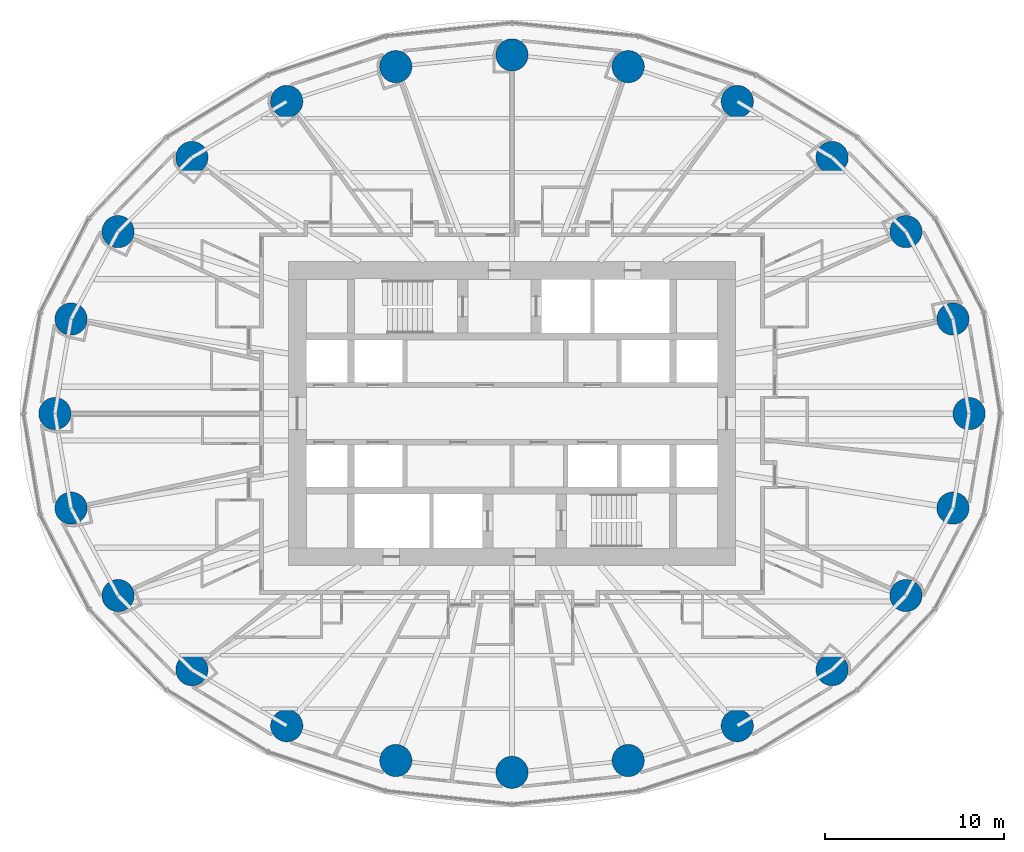
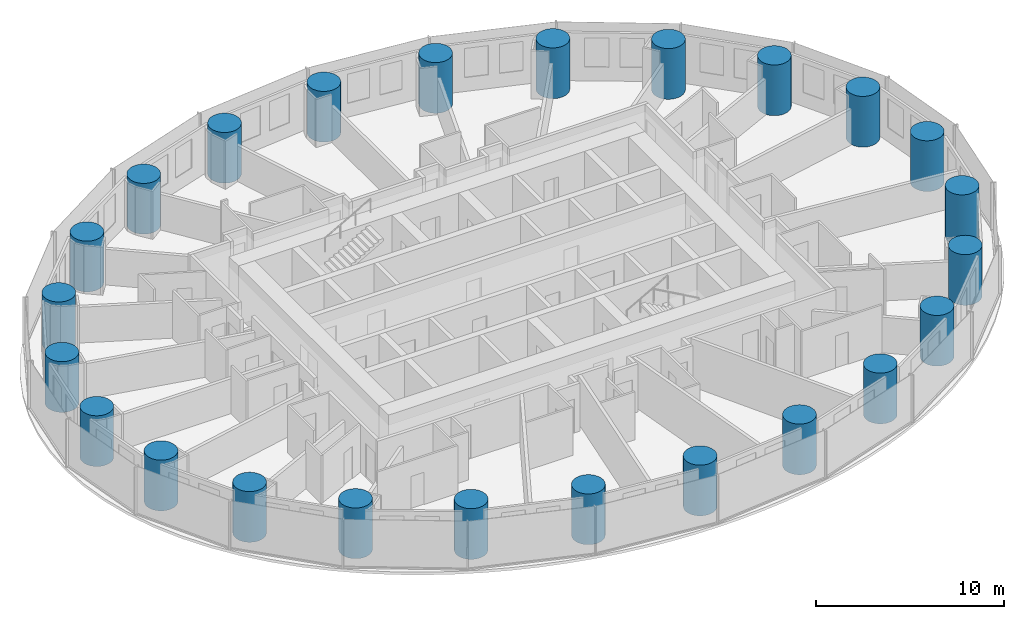
# One storey, part 1 of 14: 24 columns.
"""IFC4 building model written with IfcOpenShell, lengths in metres."""

import ifcopenshell
import ifcopenshell.guid

model = None  # the IFC model being written
_history = None  # IfcOwnerHistory: only IFC2X3 demands one
_inside = {}  # id of a spatial element -> (the spatial element, [elements in it])
_under = {}  # id of a project, library or spatial element -> (it, [spatial elements below it])
_declared = {}  # id of a project -> (the project, [libraries it declares])
_typed = {}  # id of a type object -> (the type object, [elements of that type])
_made_of = {}  # id of a material, layer set ... -> (it, [elements and type objects made of it])


def new_model(schema):
    """Start an empty IFC model of exactly this schema.

    Asked for "IFC4X3", IfcOpenShell would pick the latest addendum, in which some entities
    have other attributes; the version numbers below select the first issue.
    IFC2X3 requires an IfcOwnerHistory on every rooted entity: one is made here for all.
    """
    global model, _history
    if schema == "IFC4X3":
        model = ifcopenshell.file(schema_version=(4, 3, 0, 0))
    else:
        model = ifcopenshell.file(schema=schema)
    _inside.clear()
    _under.clear()
    _declared.clear()
    _typed.clear()
    _made_of.clear()
    _history = None
    if model.schema == "IFC2X3":
        org = make("IfcOrganization", Name="unknown")
        user = make(
            "IfcPersonAndOrganization",
            ThePerson=make("IfcPerson", FamilyName="unknown"),
            TheOrganization=org,
        )
        app = make(
            "IfcApplication",
            ApplicationDeveloper=org,
            Version="unknown",
            ApplicationFullName="unknown",
            ApplicationIdentifier="unknown",
        )
        _history = make(
            "IfcOwnerHistory",
            OwningUser=user,
            OwningApplication=app,
            ChangeAction="ADDED",
            CreationDate=0,
        )
    return model


def make(cls, **values):
    """One entity of the class cls with the attributes given. An attribute that is None is left unset."""
    return model.create_entity(
        cls, **{name: value for name, value in values.items() if value is not None}
    )


def rooted(cls, **values):
    """An entity with a GlobalId (a new one), such as an element, a storey or a relation."""
    return make(cls, GlobalId=ifcopenshell.guid.new(), OwnerHistory=_history, **values)


def si_unit(unit_type, name, prefix=None):
    """IfcSIUnit, for example si_unit("LENGTHUNIT", "METRE", prefix="MILLI")."""
    return make("IfcSIUnit", UnitType=unit_type, Prefix=prefix, Name=name)


def assignment(units):
    """IfcUnitAssignment: the units of a project."""
    return None if units is None else make("IfcUnitAssignment", Units=units)


def point(xyz):
    """IfcCartesianPoint."""
    return None if xyz is None else make("IfcCartesianPoint", Coordinates=xyz)


def direction(xyz):
    """IfcDirection."""
    return None if xyz is None else make("IfcDirection", DirectionRatios=xyz)


def frame(location, z_axis=None, x_axis=None):
    """IfcAxis2Placement3D, a coordinate frame: its origin and axes. An axis left out is left unset."""
    return make(
        "IfcAxis2Placement3D",
        Location=point(location),
        Axis=direction(z_axis),
        RefDirection=direction(x_axis),
    )


def frame_2d(location, x_axis=None):
    """IfcAxis2Placement2D, a coordinate frame in the plane: its origin and x axis."""
    return make(
        "IfcAxis2Placement2D", Location=point(location), RefDirection=direction(x_axis)
    )


def origin():
    """The frame at (0, 0, 0) with its axes left unset."""
    return frame((0.0, 0.0, 0.0))


def origin_2d():
    """The frame at (0, 0) in the plane with its x axis left unset."""
    return frame_2d((0.0, 0.0))


def place(relative_to, where):
    """IfcLocalPlacement: puts the frame where relative to a parent placement (None: the world)."""
    return make(
        "IfcLocalPlacement", PlacementRelTo=relative_to, RelativePlacement=where
    )


def context(
    kind, dimensions, precision=None, world=None, true_north=None, identifier=None
):
    """IfcGeometricRepresentationContext, for example the 3D "Model" context."""
    return make(
        "IfcGeometricRepresentationContext",
        ContextIdentifier=identifier,
        ContextType=kind,
        CoordinateSpaceDimension=dimensions,
        Precision=precision,
        WorldCoordinateSystem=world,
        TrueNorth=true_north,
    )


def subcontext(parent, identifier, kind, view, scale=None):
    """IfcGeometricRepresentationSubContext, for example "Body" below "Model"."""
    return make(
        "IfcGeometricRepresentationSubContext",
        ContextIdentifier=identifier,
        ContextType=kind,
        ParentContext=parent,
        TargetScale=scale,
        TargetView=view,
    )


def project(units=None, contexts=None):
    """IfcProject with its units and contexts."""
    return rooted(
        "IfcProject",
        Name="project",
        RepresentationContexts=contexts,
        UnitsInContext=assignment(units),
    )


def spatial(cls, under=None, at=None, **own):
    """A site, building, storey or space (cls), placed at a placement, below another one or the project."""
    s = rooted(cls, ObjectPlacement=at, **own)
    if under is not None:
        _under.setdefault(under.id(), (under, []))[1].append(s)
    return s


def profile(cls, at=None, kind="AREA", **sizes):
    """A parametric profile (cls). Its sizes go by their IFC names, for example OverallWidth=200.0."""
    return make(cls, ProfileType=kind, Position=at, **sizes)


def circle(**sizes):
    """IfcCircleProfileDef."""
    return profile("IfcCircleProfileDef", **sizes)


def extrude(swept, where, along, depth):
    """IfcExtrudedAreaSolid: the profile swept, set in the frame where, extruded along a direction by depth."""
    return make(
        "IfcExtrudedAreaSolid",
        SweptArea=swept,
        Position=where,
        ExtrudedDirection=direction(along),
        Depth=depth,
    )


def shape(context_of_items, identifier, shape_type, items):
    """IfcShapeRepresentation: the items that make up one representation, for example the "Body"."""
    return make(
        "IfcShapeRepresentation",
        ContextOfItems=context_of_items,
        RepresentationIdentifier=identifier,
        RepresentationType=shape_type,
        Items=items,
    )


def material(Name=None, Category=None):
    """IfcMaterial."""
    return make("IfcMaterial", Name=Name, Category=Category)


def material_profile(
    of_material, cross_section, Name=None, Category=None, Priority=None
):
    """IfcMaterialProfile: a cross section and its material."""
    return make(
        "IfcMaterialProfile",
        Name=Name,
        Material=of_material,
        Profile=cross_section,
        Priority=Priority,
        Category=Category,
    )


def profile_set(profiles, Name=None, composite=None):
    """IfcMaterialProfileSet."""
    return make(
        "IfcMaterialProfileSet",
        Name=Name,
        MaterialProfiles=profiles,
        CompositeProfile=composite,
    )


def made_of(thing, what):
    """Note that an element or type object is made of a material, layer set ...; save() writes the relation."""
    if what is not None:
        _made_of.setdefault(what.id(), (what, []))[1].append(thing)
    return thing


def type_object(cls, material=None, **own):
    """A type object (cls), such as IfcWallType, which elements share."""
    return made_of(rooted(cls, **own), material)


def element(
    cls,
    number,
    at=None,
    inside=None,
    cuts=None,
    type_object=None,
    material=None,
    context=None,
    identifier="Body",
    shape_type=None,
    held_by="IfcProductDefinitionShape",
    body=None,
    shapes=None,
    **own,
):
    """One element of the class cls, such as IfcWall. Its Tag is "e" and its number.

    at: its placement. inside: the storey or other place that contains it. cuts: it is an
    opening in that element (IfcRelVoidsElement). A single representation is given by context,
    identifier, shape_type and body (its items); several are given by shapes. held_by: the class
    of the entity that holds the representations. save() writes the other relations.
    """
    e = rooted(cls, Tag="e%d" % number, ObjectPlacement=at, **own)
    if body is not None:
        shapes = [shape(context, identifier, shape_type, body)]
    if shapes is not None:
        e.Representation = make(held_by, Representations=shapes)
    if inside is not None:
        _inside.setdefault(inside.id(), (inside, []))[1].append(e)
    if cuts is not None:
        rooted(
            "IfcRelVoidsElement", RelatingBuildingElement=cuts, RelatedOpeningElement=e
        )
    if type_object is not None:
        _typed.setdefault(type_object.id(), (type_object, []))[1].append(e)
    return made_of(e, material)


def aggregate(whole, parts):
    """IfcRelAggregates: a whole, such as a stair, and the parts it consists of."""
    return rooted("IfcRelAggregates", RelatingObject=whole, RelatedObjects=parts)


def save(model, path):
    """Write the relations noted so far, then the file.

    IfcRelAggregates (storeys below a building ...), IfcRelContainedInSpatialStructure (elements
    in a storey), IfcRelDefinesByType, IfcRelAssociatesMaterial and IfcRelDeclares: one each for
    every whole, place, type object, material and project.
    """
    for whole, parts in _under.values():
        aggregate(whole, parts)
    for where, things in _inside.values():
        rooted(
            "IfcRelContainedInSpatialStructure",
            RelatedElements=things,
            RelatingStructure=where,
        )
    for kind, things in _typed.values():
        rooted("IfcRelDefinesByType", RelatedObjects=things, RelatingType=kind)
    for what, things in _made_of.values():
        rooted("IfcRelAssociatesMaterial", RelatedObjects=things, RelatingMaterial=what)
    for by, libraries in _declared.values():
        rooted("IfcRelDeclares", RelatingContext=by, RelatedDefinitions=libraries)
    model.write(path)


model = new_model("IFC4")

# Units and contexts
model_context = context("Model", 3, precision=1e-05, world=origin(), true_north=direction((0.0, 1.0)))
body_context = subcontext(model_context, "Body", "Model", "MODEL_VIEW")
ifc_project = project(units=[si_unit("LENGTHUNIT", "METRE"), si_unit("AREAUNIT", "SQUARE_METRE"), si_unit("VOLUMEUNIT", "CUBIC_METRE"), si_unit("PLANEANGLEUNIT", "RADIAN"), si_unit("MASSUNIT", "GRAM", prefix="KILO")], contexts=[model_context])

# Site, building, storey
site_placement = place(None, origin())
site = spatial("IfcSite", under=ifc_project, at=site_placement, CompositionType="ELEMENT")
building_placement = place(site_placement, origin())
building = spatial("IfcBuilding", under=site, at=building_placement, Name="Hankou Lantern Tower", CompositionType="ELEMENT")
storey_placement = place(building_placement, frame((0.0, 0.0, 32.699951171875)))
storey = spatial("IfcBuildingStorey", under=building, at=storey_placement, Name="L06", CompositionType="ELEMENT", Elevation=32.699951171875)

# Columns
ifc_material = material(Name="Concrete C60", Category="concrete")
ifc_material_profile = material_profile(ifc_material, circle(Radius=0.89990234375, at=origin_2d()), Name="RC D1800")
ifc_profile_set = profile_set([ifc_material_profile], Name="Concrete C60")
column_type = type_object("IfcColumnType", Name="TC1 PERIMETER COLUMN RC D1800", PredefinedType="COLUMN", material=ifc_profile_set)
for number, where, z_axis, x_axis, name in (
    (1, (25.550048828125, 0.0, 0.0), (0.0, 0.0, 1.0), (1.0, 0.0, 0.0), "Column R01 L06"),
    (2, (24.64697265625, 5.283203125, 0.0), (0.0, 0.0, 1.0), (1.0, 0.0, 0.0), "Column R02 L06"),
    (3, (22.01904296875, 10.170166015625, 0.0), (0.0, 0.0, 1.0), (1.0, 0.0, 0.0), "Column R03 L06"),
    (4, (17.891845703125, 14.3134765625, 0.0), (0.0, 0.0, 1.0), (1.0, 0.0, 0.0), "Column R04 L06"),
    (5, (12.5908203125, 17.446533203125, 0.0), (0.0, 0.0, 1.0), (1.0, 0.0, 0.0), "Column R05 L06"),
    (6, (6.494873046875, 19.391357421875, 0.0), (0.0, 0.0, 1.0), (1.0, 0.0, 0.0), "Column R06 L06"),
    (7, (0.0, 20.050048828125, 0.0), (0.0, 0.0, 1.0), (1.0, 0.0, 0.0), "Column R07 L06"),
    (8, (-6.494873046875, 19.391357421875, 0.0), (0.0, 0.0, 1.0), (1.0, 0.0, 0.0), "Column R08 L06"),
    (9, (-12.5908203125, 17.446533203125, 0.0), (0.0, 0.0, 1.0), (1.0, 0.0, 0.0), "Column R09 L06"),
    (10, (-17.891845703125, 14.3134765625, 0.0), (0.0, 0.0, 1.0), (1.0, 0.0, 0.0), "Column R10 L06"),
    (11, (-22.01904296875, 10.170166015625, 0.0), (0.0, 0.0, 1.0), (1.0, 0.0, 0.0), "Column R11 L06"),
    (12, (-24.64697265625, 5.283203125, 0.0), (0.0, 0.0, 1.0), (1.0, 0.0, 0.0), "Column R12 L06"),
    (13, (-25.550048828125, 0.0, 0.0), (0.0, 0.0, 1.0), (1.0, 0.0, 0.0), "Column R13 L06"),
    (14, (-24.64697265625, -5.283203125, 0.0), (0.0, 0.0, 1.0), (1.0, 0.0, 0.0), "Column R14 L06"),
    (15, (-22.01904296875, -10.170166015625, 0.0), (0.0, 0.0, 1.0), (1.0, 0.0, 0.0), "Column R15 L06"),
    (16, (-17.891845703125, -14.3134765625, 0.0), (0.0, 0.0, 1.0), (1.0, 0.0, 0.0), "Column R16 L06"),
    (17, (-12.5908203125, -17.446533203125, 0.0), (0.0, 0.0, 1.0), (1.0, 0.0, 0.0), "Column R17 L06"),
    (18, (-6.494873046875, -19.391357421875, 0.0), (0.0, 0.0, 1.0), (1.0, 0.0, 0.0), "Column R18 L06"),
    (19, (0.0, -20.050048828125, 0.0), (0.0, 0.0, 1.0), (1.0, 0.0, 0.0), "Column R19 L06"),
    (20, (6.494873046875, -19.391357421875, 0.0), (0.0, 0.0, 1.0), (1.0, 0.0, 0.0), "Column R20 L06"),
    (21, (12.5908203125, -17.446533203125, 0.0), (0.0, 0.0, 1.0), (1.0, 0.0, 0.0), "Column R21 L06"),
    (22, (17.891845703125, -14.3134765625, 0.0), (0.0, 0.0, 1.0), (1.0, 0.0, 0.0), "Column R22 L06"),
    (23, (22.01904296875, -10.170166015625, 0.0), (0.0, 0.0, 1.0), (1.0, 0.0, 0.0), "Column R23 L06"),
    (24, (24.64697265625, -5.283203125, 0.0), (0.0, 0.0, 1.0), (1.0, 0.0, 0.0), "Column R24 L06"),
):
    element("IfcColumn", number, at=place(storey_placement, frame(where, z_axis=z_axis, x_axis=x_axis)), inside=storey, type_object=column_type, Name=name, PredefinedType="COLUMN", context=body_context, shape_type="SweptSolid", body=[
        extrude(circle(Radius=0.89990234375, at=origin_2d()), origin(), (0.0, 0.0, 1.0), 3.300048828125),
    ])

save(model, "model.ifc")
